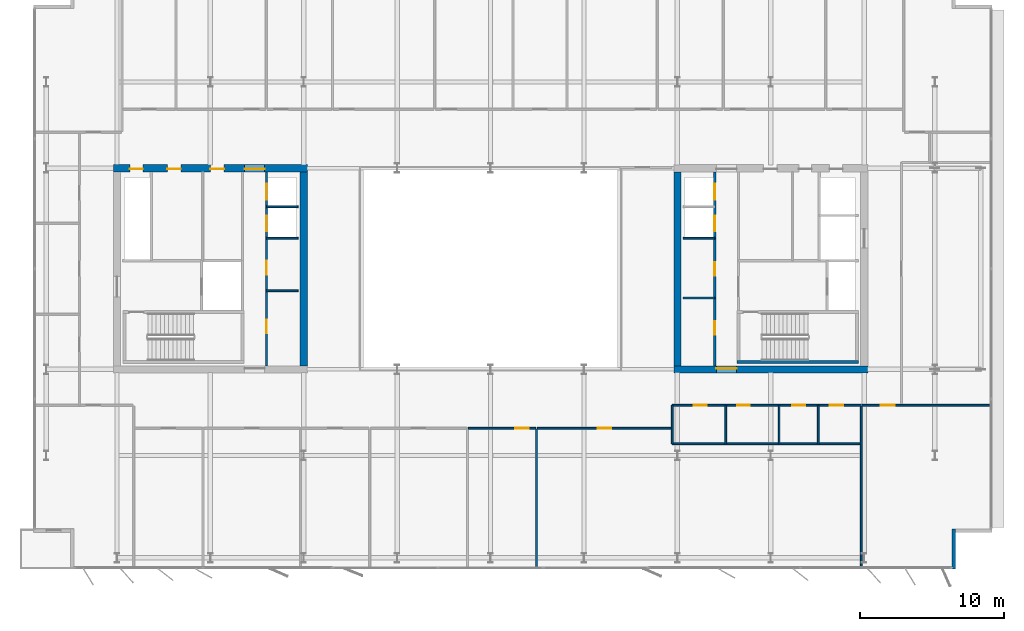
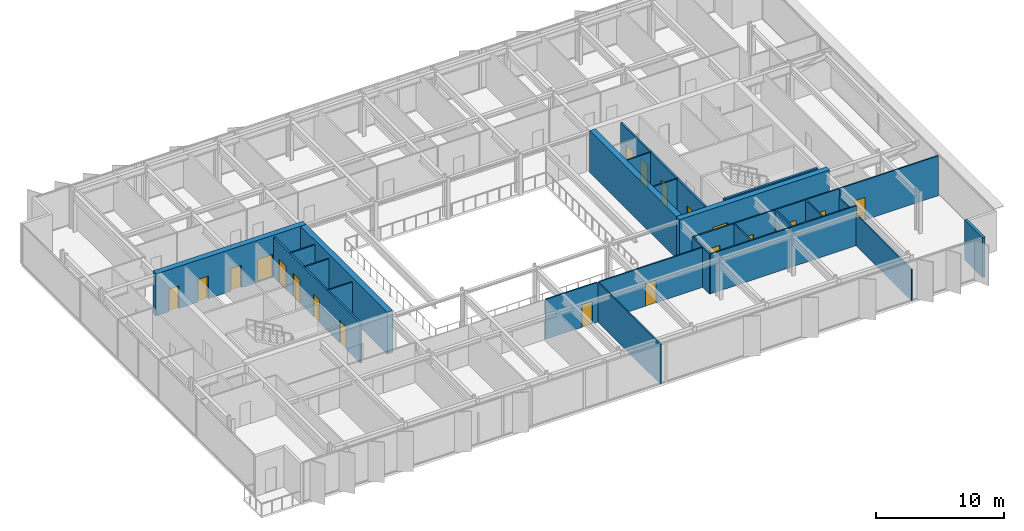
# One storey, part 14 of 20: 24 walls, 20 doors, 20 openings.
"""IFC4 building model written with IfcOpenShell, lengths in metres."""

from ifc_helpers import new_model, si_unit, direction, frame, frame_2d, origin, place, context, subcontext, project, spatial, rectangle, extrude, material, layer, layer_set, type_object, element, fill, save


model = new_model("IFC4")

# Units and contexts
model_context = context("Model", 3, precision=1e-05, world=origin(), true_north=direction((0.0, 1.0)))
body_context = subcontext(model_context, "Body", "Model", "MODEL_VIEW")
ifc_project = project(units=[si_unit("LENGTHUNIT", "METRE"), si_unit("AREAUNIT", "SQUARE_METRE"), si_unit("VOLUMEUNIT", "CUBIC_METRE"), si_unit("PLANEANGLEUNIT", "RADIAN"), si_unit("MASSUNIT", "GRAM", prefix="KILO")], contexts=[model_context])

# Site, building, storey
site_placement = place(None, origin())
site = spatial("IfcSite", under=ifc_project, at=site_placement, CompositionType="ELEMENT")
building_placement = place(site_placement, origin())
building = spatial("IfcBuilding", under=site, at=building_placement, Name="Putna Gate Headquarters", CompositionType="ELEMENT")
storey_placement = place(building_placement, frame((0.0, 0.0, 298.39990234375)))
storey = spatial("IfcBuildingStorey", under=building, at=storey_placement, Name="L75", CompositionType="ELEMENT", Elevation=298.39990234375)

# Wall, openings, doors
ifc_material_1 = material(Name="Concrete C50/60", Category="concrete")
ifc_layer_1 = layer(ifc_material_1, 0.5)
ifc_layer_set_1 = layer_set([ifc_layer_1], Name="Concrete C50/60")
wall_type_1 = type_object("IfcWallType", Name="WALL-CORE-500", PredefinedType="SHEAR", material=ifc_layer_set_1)
wall_1_placement = place(storey_placement, frame((12.75, 33.0, 0.0), z_axis=(0.0, 0.0, 1.0), x_axis=(1.0, 0.0, 0.0)))
wall_1 = element("IfcWall", 1, at=wall_1_placement, inside=storey, type_object=wall_type_1, Name="L75 WC Split Core Shear Wall N", PredefinedType="SHEAR", context=body_context, shape_type="SweptSolid", body=[
    extrude(rectangle(XDim=13.5, YDim=0.5, at=frame_2d((6.75, 0.0))), origin(), (0.0, 0.0, 1.0), 4.0),
])
opening_1_placement = place(wall_1_placement, frame((1.14990234375, 0.0, 0.0)))
opening_1 = element("IfcOpeningElement", 2, at=opening_1_placement, cuts=wall_1, Name="Opening RD-90", PredefinedType="OPENING", context=body_context, shape_type="SweptSolid", body=[
    extrude(rectangle(XDim=0.89990234375, YDim=2.14990234375, at=frame_2d((0.449951171875, 1.074951171875))), frame((0.0, 0.260009765625, 0.0), z_axis=(0.0, -1.0, 0.0), x_axis=(1.0, 0.0, 0.0)), (0.0, 0.0, 1.0), 0.52001953125),
])
opening_2_placement = place(wall_1_placement, frame((3.75, 0.0, 0.0)))
opening_2 = element("IfcOpeningElement", 3, at=opening_2_placement, cuts=wall_1, Name="Opening IDS-95", PredefinedType="OPENING", context=body_context, shape_type="SweptSolid", body=[
    extrude(rectangle(XDim=0.949951171875, YDim=2.14990234375, at=frame_2d((0.47509765625, 1.074951171875))), frame((0.0, 0.260009765625, 0.0), z_axis=(0.0, -1.0, 0.0), x_axis=(1.0, 0.0, 0.0)), (0.0, 0.0, 1.0), 0.52001953125),
])
opening_3_placement = place(wall_1_placement, frame((6.75, 0.0, 0.0)))
opening_3 = element("IfcOpeningElement", 4, at=opening_3_placement, cuts=wall_1, Name="Opening IDS-95", PredefinedType="OPENING", context=body_context, shape_type="SweptSolid", body=[
    extrude(rectangle(XDim=0.949951171875, YDim=2.14990234375, at=frame_2d((0.47509765625, 1.074951171875))), frame((0.0, 0.260009765625, 0.0), z_axis=(0.0, -1.0, 0.0), x_axis=(1.0, 0.0, 0.0)), (0.0, 0.0, 1.0), 0.52001953125),
])
opening_4_placement = place(wall_1_placement, frame((9.1298828125, 0.0, 0.0)))
opening_4 = element("IfcOpeningElement", 5, at=opening_4_placement, cuts=wall_1, Name="Opening FDD-140", PredefinedType="OPENING", context=body_context, shape_type="SweptSolid", body=[
    extrude(rectangle(XDim=1.39990234375, YDim=2.199951171875, at=frame_2d((0.699951171875, 1.10009765625))), frame((0.0, 0.260009765625, 0.0), z_axis=(0.0, -1.0, 0.0), x_axis=(1.0, 0.0, 0.0)), (0.0, 0.0, 1.0), 0.52001953125),
])
ifc_material_2 = material(Name="Double steel fire door", Category="steel")
door_type_1 = type_object("IfcDoorType", Name="DOOR-FIRE-DBL-1400", OperationType="DOUBLE_DOOR_SINGLE_SWING", PredefinedType="DOOR", material=ifc_material_2)
door_1_placement = place(opening_4_placement, origin())
door_1 = element("IfcDoor", 6, at=door_1_placement, inside=storey, type_object=door_type_1, Name="L75 West Lift Lobby North Door", OperationType="DOUBLE_DOOR_SINGLE_SWING", OverallHeight=2.199951171875, OverallWidth=1.39990234375, PredefinedType="DOOR", context=body_context, shape_type="SweptSolid", body=[
    extrude(rectangle(XDim=1.39990234375, YDim=2.199951171875, at=frame_2d((0.699951171875, 1.10009765625))), frame((0.0, -0.02490234375, 0.0), z_axis=(0.0, -1.0, 0.0), x_axis=(1.0, 0.0, 0.0)), (0.0, 0.0, 1.0), 0.050048828125),
])
fill(opening_4, door_1)
ifc_material_3 = material(Name="Fire-rated service timber door", Category="wood")
door_type_2 = type_object("IfcDoorType", Name="DOOR-INT-950", OperationType="NOTDEFINED", PredefinedType="DOOR", material=ifc_material_3)
door_2_placement = place(opening_2_placement, origin())
door_2 = element("IfcDoor", 7, at=door_2_placement, inside=storey, type_object=door_type_2, Name="L75 Cleaner Store Door", OperationType="SINGLE_SWING_LEFT", OverallHeight=2.14990234375, OverallWidth=0.949951171875, PredefinedType="DOOR", context=body_context, shape_type="SweptSolid", body=[
    extrude(rectangle(XDim=0.949951171875, YDim=2.14990234375, at=frame_2d((0.47509765625, 1.074951171875))), frame((0.0, -0.02490234375, 0.0), z_axis=(0.0, -1.0, 0.0), x_axis=(1.0, 0.0, 0.0)), (0.0, 0.0, 1.0), 0.050048828125),
])
fill(opening_2, door_2)
door_3_placement = place(opening_3_placement, origin())
door_3 = element("IfcDoor", 8, at=door_3_placement, inside=storey, type_object=door_type_2, Name="L75 Comms Plant Door", OperationType="SINGLE_SWING_RIGHT", OverallHeight=2.14990234375, OverallWidth=0.949951171875, PredefinedType="DOOR", context=body_context, shape_type="SweptSolid", body=[
    extrude(rectangle(XDim=0.949951171875, YDim=2.14990234375, at=frame_2d((0.47509765625, 1.074951171875))), frame((0.0, -0.02490234375, 0.0), z_axis=(0.0, -1.0, 0.0), x_axis=(1.0, 0.0, 0.0)), (0.0, 0.0, 1.0), 0.050048828125),
])
fill(opening_3, door_3)
ifc_material_4 = material(Name="Steel riser access fire door", Category="steel")
door_type_3 = type_object("IfcDoorType", Name="DOOR-RISER-900", OperationType="NOTDEFINED", PredefinedType="DOOR", material=ifc_material_4)
door_4_placement = place(opening_1_placement, origin())
door_4 = element("IfcDoor", 9, at=door_4_placement, inside=storey, type_object=door_type_3, Name="L75 West Riser Access Door", OperationType="SINGLE_SWING_RIGHT", OverallHeight=2.14990234375, OverallWidth=0.89990234375, PredefinedType="DOOR", context=body_context, shape_type="SweptSolid", body=[
    extrude(rectangle(XDim=0.89990234375, YDim=2.14990234375, at=frame_2d((0.449951171875, 1.074951171875))), frame((0.0, -0.02490234375, 0.0), z_axis=(0.0, -1.0, 0.0), x_axis=(1.0, 0.0, 0.0)), (0.0, 0.0, 1.0), 0.050048828125),
])
fill(opening_1, door_4)

# Wall
wall_2_placement = place(storey_placement, frame((26.0, 19.25, 0.0), z_axis=(0.0, 0.0, 1.0), x_axis=(0.0, 1.0, 0.0)))
element("IfcWall", 10, at=wall_2_placement, inside=storey, type_object=wall_type_1, Name="L75 WC Split Core Shear Wall E", PredefinedType="SHEAR", context=body_context, shape_type="SweptSolid", body=[
    extrude(rectangle(XDim=13.5, YDim=0.5, at=frame_2d((6.75, 0.0))), origin(), (0.0, 0.0, 1.0), 4.0),
])

# Wall, opening, door
wall_3_placement = place(storey_placement, frame((51.75, 19.0, 0.0), z_axis=(0.0, 0.0, 1.0), x_axis=(1.0, 0.0, 0.0)))
wall_3 = element("IfcWall", 11, at=wall_3_placement, inside=storey, type_object=wall_type_1, Name="L75 EC Split Core Shear Wall S", PredefinedType="SHEAR", context=body_context, shape_type="SweptSolid", body=[
    extrude(rectangle(XDim=13.5, YDim=0.5, at=frame_2d((6.75, 0.0))), origin(), (0.0, 0.0, 1.0), 4.0),
])
opening_5_placement = place(wall_3_placement, frame((2.969970703125, 0.0, 0.0)))
opening_5 = element("IfcOpeningElement", 12, at=opening_5_placement, cuts=wall_3, Name="Opening FDD-140", PredefinedType="OPENING", context=body_context, shape_type="SweptSolid", body=[
    extrude(rectangle(XDim=1.39990234375, YDim=2.199951171875, at=frame_2d((0.699951171875, 1.10009765625))), frame((0.0, 0.260009765625, 0.0), z_axis=(0.0, -1.0, 0.0), x_axis=(1.0, 0.0, 0.0)), (0.0, 0.0, 1.0), 0.52001953125),
])
door_5_placement = place(opening_5_placement, origin())
door_5 = element("IfcDoor", 13, at=door_5_placement, inside=storey, type_object=door_type_1, Name="L75 East Lift Lobby South Door", OperationType="DOUBLE_DOOR_SINGLE_SWING", OverallHeight=2.199951171875, OverallWidth=1.39990234375, PredefinedType="DOOR", context=body_context, shape_type="SweptSolid", body=[
    extrude(rectangle(XDim=1.39990234375, YDim=2.199951171875, at=frame_2d((0.699951171875, 1.10009765625))), frame((0.0, 0.0751953125, 0.0), z_axis=(0.0, -1.0, 0.0), x_axis=(1.0, 0.0, 0.0)), (0.0, 0.0, 1.0), 0.050048828125),
])
fill(opening_5, door_5)

# Walls
wall_4_placement = place(storey_placement, frame((52.0, 19.25, 0.0), z_axis=(0.0, 0.0, 1.0), x_axis=(0.0, 1.0, 0.0)))
element("IfcWall", 14, at=wall_4_placement, inside=storey, type_object=wall_type_1, Name="L75 EC Split Core Shear Wall W", PredefinedType="SHEAR", context=body_context, shape_type="SweptSolid", body=[
    extrude(rectangle(XDim=13.5, YDim=0.5, at=frame_2d((6.75, 0.0))), origin(), (0.0, 0.0, 1.0), 4.0),
])
ifc_material_5 = material(Name="Precast concrete C40/50", Category="concrete")
ifc_layer_2 = layer(ifc_material_5, 0.239990234375)
ifc_layer_set_2 = layer_set([ifc_layer_2], Name="Precast concrete C40/50")
wall_type_2 = type_object("IfcWallType", Name="WALL-EXT-TERR-240", PredefinedType="STANDARD", material=ifc_layer_set_2)
wall_5_placement = place(storey_placement, frame((71.23095703125, 7.89990234375, 0.0), z_axis=(0.0, 0.0, 1.0), x_axis=(0.0, -1.0, 0.0)))
element("IfcWall", 15, at=wall_5_placement, inside=storey, type_object=wall_type_2, Name="L75 Corner Notch Return Wall SE-V", PredefinedType="STANDARD", context=body_context, shape_type="SweptSolid", body=[
    extrude(rectangle(XDim=2.7998046875, YDim=0.239990234375, at=frame_2d((1.39990234375, 0.0))), origin(), (0.0, 0.0, 1.0), 3.7880859375),
])
ifc_material_6 = material(Name="Acoustic gypsum board on metal stud")
ifc_layer_3 = layer(ifc_material_6, 0.1201171875)
ifc_layer_set_3 = layer_set([ifc_layer_3], Name="Acoustic gypsum board on metal stud")
wall_type_3 = type_object("IfcWallType", Name="WALL-PART-120", PredefinedType="PARTITIONING", material=ifc_layer_set_3)
wall_6_placement = place(storey_placement, frame((42.199951171875, 5.1201171875, 0.0), z_axis=(0.0, 0.0, 1.0), x_axis=(0.0, 1.0, 0.0)))
element("IfcWall", 16, at=wall_6_placement, inside=storey, type_object=wall_type_3, Name="L75 Interior Wall PART-L75-SB-DIV-06", PredefinedType="PARTITIONING", context=body_context, shape_type="SweptSolid", body=[
    extrude(rectangle(XDim=9.719970703125, YDim=0.1201171875, at=frame_2d((4.85986328125, 0.0))), origin(), (0.0, 0.0, 1.0), 3.7880859375),
])
wall_7_placement = place(storey_placement, frame((64.800048828125, 5.1201171875, 0.0), z_axis=(0.0, 0.0, 1.0), x_axis=(0.0, 1.0, 0.0)))
element("IfcWall", 17, at=wall_7_placement, inside=storey, type_object=wall_type_3, Name="L75 Interior Wall PART-L75-SB-DIV-07", PredefinedType="PARTITIONING", context=body_context, shape_type="SweptSolid", body=[
    extrude(rectangle(XDim=11.31982421875, YDim=0.1201171875, at=frame_2d((5.659912109375, 0.0))), origin(), (0.0, 0.0, 1.0), 2.988037109375),
])
ifc_material_7 = material(Name="Fire-rated shaftwall gypsum board on metal stud")
ifc_layer_4 = layer(ifc_material_7, 0.1201171875)
ifc_layer_set_4 = layer_set([ifc_layer_4], Name="Fire-rated shaftwall gypsum board on metal stud")
wall_type_4 = type_object("IfcWallType", Name="WALL-PART-120-EI120", PredefinedType="PARTITIONING", material=ifc_layer_set_4)
wall_8_placement = place(storey_placement, frame((23.39990234375, 30.31005859375, 0.0), z_axis=(0.0, 0.0, 1.0), x_axis=(1.0, 0.0, 0.0)))
element("IfcWall", 18, at=wall_8_placement, inside=storey, type_object=wall_type_4, Name="L75 Interior Wall CWINT-L75-WC-LF09-DIV", PredefinedType="PARTITIONING", context=body_context, shape_type="SweptSolid", body=[
    extrude(rectangle(XDim=2.2001953125, YDim=0.1201171875, at=frame_2d((1.10009765625, 0.0))), origin(), (0.0, 0.0, 1.0), 3.7880859375),
])
ifc_material_8 = material(Name="Fire-rated gypsum board on metal stud")
ifc_layer_5 = layer(ifc_material_8, 0.1201171875)
ifc_layer_set_5 = layer_set([ifc_layer_5], Name="Fire-rated gypsum board on metal stud")
wall_type_5 = type_object("IfcWallType", Name="WALL-PART-120-RATED", PredefinedType="PARTITIONING", material=ifc_layer_set_5)
for number, where, z_axis, x_axis, name in (
    (19, (23.39990234375, 24.469970703125, 0.0), (0.0, 0.0, 1.0), (1.0, 0.0, 0.0), "L75 Interior Wall CWINT-L75-WC-REUSE-DIV"),
    (20, (23.39990234375, 28.1201171875, 0.0), (0.0, 0.0, 1.0), (1.0, 0.0, 0.0), "L75 Interior Wall CWINT-L75-WC-LF06-DIV"),
    (21, (52.39990234375, 23.969970703125, 0.0), (0.0, 0.0, 1.0), (1.0, 0.0, 0.0), "L75 Interior Wall CWINT-L75-EC-REUSE-DIV"),
    (22, (52.39990234375, 28.1201171875, 0.0), (0.0, 0.0, 1.0), (1.0, 0.0, 0.0), "L75 Interior Wall CWINT-L75-EC-LF08-DIV"),
):
    element("IfcWall", number, at=place(storey_placement, frame(where, z_axis=z_axis, x_axis=x_axis)), inside=storey, type_object=wall_type_5, Name=name, PredefinedType="PARTITIONING", context=body_context, shape_type="SweptSolid", body=[
        extrude(rectangle(XDim=2.2001953125, YDim=0.1201171875, at=frame_2d((1.10009765625, 0.0))), origin(), (0.0, 0.0, 1.0), 3.7880859375),
    ])

# Wall, openings, doors
wall_9_placement = place(storey_placement, frame((51.639892578125, 16.5, 0.0), z_axis=(0.0, 0.0, 1.0), x_axis=(1.0, 0.0, 0.0)))
wall_9 = element("IfcWall", 23, at=wall_9_placement, inside=storey, type_object=wall_type_5, Name="L75 Interior Wall PART-L75-SAN-CW", PredefinedType="PARTITIONING", context=body_context, shape_type="SweptSolid", body=[
    extrude(rectangle(XDim=13.16015625, YDim=0.1201171875, at=frame_2d((6.580078125, 0.0))), origin(), (0.0, 0.0, 1.0), 3.7880859375),
])
opening_6_placement = place(wall_9_placement, frame((1.510009765625, 0.0, 0.0)))
opening_6 = element("IfcOpeningElement", 24, at=opening_6_placement, cuts=wall_9, Name="Opening FD-90", PredefinedType="OPENING", context=body_context, shape_type="SweptSolid", body=[
    extrude(rectangle(XDim=0.89990234375, YDim=2.14990234375, at=frame_2d((0.449951171875, 1.074951171875))), frame((0.0, 0.070068359375, 0.0), z_axis=(0.0, -1.0, 0.0), x_axis=(1.0, 0.0, 0.0)), (0.0, 0.0, 1.0), 0.14013671875),
])
opening_7_placement = place(wall_9_placement, frame((4.510009765625, 0.0, 0.0)))
opening_7 = element("IfcOpeningElement", 25, at=opening_7_placement, cuts=wall_9, Name="Opening FD-90", PredefinedType="OPENING", context=body_context, shape_type="SweptSolid", body=[
    extrude(rectangle(XDim=0.89990234375, YDim=2.14990234375, at=frame_2d((0.449951171875, 1.074951171875))), frame((0.0, 0.070068359375, 0.0), z_axis=(0.0, -1.0, 0.0), x_axis=(1.0, 0.0, 0.0)), (0.0, 0.0, 1.0), 0.14013671875),
])
opening_8_placement = place(wall_9_placement, frame((8.360107421875, 0.0, 0.0)))
opening_8 = element("IfcOpeningElement", 26, at=opening_8_placement, cuts=wall_9, Name="Opening FD-90", PredefinedType="OPENING", context=body_context, shape_type="SweptSolid", body=[
    extrude(rectangle(XDim=0.89990234375, YDim=2.14990234375, at=frame_2d((0.449951171875, 1.074951171875))), frame((0.0, 0.070068359375, 0.0), z_axis=(0.0, -1.0, 0.0), x_axis=(1.0, 0.0, 0.0)), (0.0, 0.0, 1.0), 0.14013671875),
])
opening_9_placement = place(wall_9_placement, frame((10.9599609375, 0.0, 0.0)))
opening_9 = element("IfcOpeningElement", 27, at=opening_9_placement, cuts=wall_9, Name="Opening FD-95", PredefinedType="OPENING", context=body_context, shape_type="SweptSolid", body=[
    extrude(rectangle(XDim=0.949951171875, YDim=2.14990234375, at=frame_2d((0.47509765625, 1.074951171875))), frame((0.0, 0.070068359375, 0.0), z_axis=(0.0, -1.0, 0.0), x_axis=(1.0, 0.0, 0.0)), (0.0, 0.0, 1.0), 0.14013671875),
])
ifc_material_9 = material(Name="Acoustic washroom fire door")
door_type_4 = type_object("IfcDoorType", Name="DOOR-FIRE-900", OperationType="NOTDEFINED", PredefinedType="DOOR", material=ifc_material_9)
door_6_placement = place(opening_6_placement, origin())
door_6 = element("IfcDoor", 28, at=door_6_placement, inside=storey, type_object=door_type_4, Name="L75 Washroom Male Door", OperationType="SINGLE_SWING_RIGHT", OverallHeight=2.14990234375, OverallWidth=0.89990234375, PredefinedType="DOOR", context=body_context, shape_type="SweptSolid", body=[
    extrude(rectangle(XDim=0.89990234375, YDim=2.14990234375, at=frame_2d((0.449951171875, 1.074951171875))), frame((0.0, 0.02490234375, 0.0), z_axis=(0.0, -1.0, 0.0), x_axis=(1.0, 0.0, 0.0)), (0.0, 0.0, 1.0), 0.050048828125),
])
fill(opening_6, door_6)
door_7_placement = place(opening_7_placement, origin())
door_7 = element("IfcDoor", 29, at=door_7_placement, inside=storey, type_object=door_type_4, Name="L75 Washroom Female Door", OperationType="SINGLE_SWING_LEFT", OverallHeight=2.14990234375, OverallWidth=0.89990234375, PredefinedType="DOOR", context=body_context, shape_type="SweptSolid", body=[
    extrude(rectangle(XDim=0.89990234375, YDim=2.14990234375, at=frame_2d((0.449951171875, 1.074951171875))), frame((0.0, 0.02490234375, 0.0), z_axis=(0.0, -1.0, 0.0), x_axis=(1.0, 0.0, 0.0)), (0.0, 0.0, 1.0), 0.050048828125),
])
fill(opening_7, door_7)
door_8_placement = place(opening_8_placement, origin())
door_8 = element("IfcDoor", 30, at=door_8_placement, inside=storey, type_object=door_type_4, Name="L75 Accessible WC Door", OperationType="SINGLE_SWING_RIGHT", OverallHeight=2.14990234375, OverallWidth=0.89990234375, PredefinedType="DOOR", context=body_context, shape_type="SweptSolid", body=[
    extrude(rectangle(XDim=0.89990234375, YDim=2.14990234375, at=frame_2d((0.449951171875, 1.074951171875))), frame((0.0, 0.02490234375, 0.0), z_axis=(0.0, -1.0, 0.0), x_axis=(1.0, 0.0, 0.0)), (0.0, 0.0, 1.0), 0.050048828125),
])
fill(opening_8, door_8)
ifc_material_10 = material(Name="Acoustic timber fire door", Category="wood")
door_type_5 = type_object("IfcDoorType", Name="DOOR-FIRE-950", OperationType="NOTDEFINED", PredefinedType="DOOR", material=ifc_material_10)
door_9_placement = place(opening_9_placement, origin())
door_9 = element("IfcDoor", 31, at=door_9_placement, inside=storey, type_object=door_type_5, Name="L75 Staff Pantry and Tea Point Door", OperationType="SINGLE_SWING_LEFT", OverallHeight=2.14990234375, OverallWidth=0.949951171875, PredefinedType="DOOR", context=body_context, shape_type="SweptSolid", body=[
    extrude(rectangle(XDim=0.949951171875, YDim=2.14990234375, at=frame_2d((0.47509765625, 1.074951171875))), frame((0.0, 0.02490234375, 0.0), z_axis=(0.0, -1.0, 0.0), x_axis=(1.0, 0.0, 0.0)), (0.0, 0.0, 1.0), 0.050048828125),
])
fill(opening_9, door_9)

# Walls
wall_10_placement = place(storey_placement, frame((51.639892578125, 13.820068359375, 0.0), z_axis=(0.0, 0.0, 1.0), x_axis=(1.0, 0.0, 0.0)))
element("IfcWall", 32, at=wall_10_placement, inside=storey, type_object=wall_type_5, Name="L75 Interior Wall PART-L75-SAN-BACK", PredefinedType="PARTITIONING", context=body_context, shape_type="SweptSolid", body=[
    extrude(rectangle(XDim=13.16015625, YDim=0.1201171875, at=frame_2d((6.580078125, 0.0))), origin(), (0.0, 0.0, 1.0), 3.7880859375),
])
for number, where, z_axis, x_axis, name in (
    (33, (51.639892578125, 13.820068359375, 0.0), (0.0, 0.0, 1.0), (0.0, 1.0, 0.0), "L75 Interior Wall PART-L75-SAN-DIV-1"),
    (34, (55.360107421875, 13.820068359375, 0.0), (0.0, 0.0, 1.0), (0.0, 1.0, 0.0), "L75 Interior Wall PART-L75-SAN-DIV-2"),
    (35, (59.080078125, 13.820068359375, 0.0), (0.0, 0.0, 1.0), (0.0, 1.0, 0.0), "L75 Interior Wall PART-L75-SAN-DIV-3"),
    (36, (61.800048828125, 13.820068359375, 0.0), (0.0, 0.0, 1.0), (0.0, 1.0, 0.0), "L75 Interior Wall PART-L75-SAN-DIV-4"),
):
    element("IfcWall", number, at=place(storey_placement, frame(where, z_axis=z_axis, x_axis=x_axis)), inside=storey, type_object=wall_type_5, Name=name, PredefinedType="PARTITIONING", context=body_context, shape_type="SweptSolid", body=[
        extrude(rectangle(XDim=2.679931640625, YDim=0.1201171875, at=frame_2d((1.33984375, 0.0))), origin(), (0.0, 0.0, 1.0), 3.7880859375),
    ])

# Wall, opening, door
wall_11_placement = place(storey_placement, frame((37.447509765625, 14.89990234375, 0.0), z_axis=(0.0, 0.0, 1.0), x_axis=(1.0, 0.0, 0.0)))
wall_11 = element("IfcWall", 37, at=wall_11_placement, inside=storey, type_object=wall_type_5, Name="L75 Interior Wall PART-L75-SB-CW-06", PredefinedType="PARTITIONING", context=body_context, shape_type="SweptSolid", body=[
    extrude(rectangle(XDim=4.6923828125, YDim=0.1201171875, at=frame_2d((2.34619140625, 0.0))), origin(), (0.0, 0.0, 1.0), 3.7880859375),
])
opening_10_placement = place(wall_11_placement, frame((3.262451171875, 0.0, 0.0)))
opening_10 = element("IfcOpeningElement", 38, at=opening_10_placement, cuts=wall_11, Name="Opening FD-95", PredefinedType="OPENING", context=body_context, shape_type="SweptSolid", body=[
    extrude(rectangle(XDim=0.949951171875, YDim=2.14990234375, at=frame_2d((0.47509765625, 1.074951171875))), frame((0.0, 0.070068359375, 0.0), z_axis=(0.0, -1.0, 0.0), x_axis=(1.0, 0.0, 0.0)), (0.0, 0.0, 1.0), 0.14013671875),
])
door_10_placement = place(opening_10_placement, origin())
door_10 = element("IfcDoor", 39, at=door_10_placement, inside=storey, type_object=door_type_5, Name="L75 Conference Meeting Room 5 Door", OperationType="SINGLE_SWING_LEFT", OverallHeight=2.14990234375, OverallWidth=0.949951171875, PredefinedType="DOOR", context=body_context, shape_type="SweptSolid", body=[
    extrude(rectangle(XDim=0.949951171875, YDim=2.14990234375, at=frame_2d((0.47509765625, 1.074951171875))), frame((0.0, 0.02490234375, 0.0), z_axis=(0.0, -1.0, 0.0), x_axis=(1.0, 0.0, 0.0)), (0.0, 0.0, 1.0), 0.050048828125),
])
fill(opening_10, door_10)

wall_12_placement = place(storey_placement, frame((42.260009765625, 14.89990234375, 0.0), z_axis=(0.0, 0.0, 1.0), x_axis=(1.0, 0.0, 0.0)))
wall_12 = element("IfcWall", 40, at=wall_12_placement, inside=storey, type_object=wall_type_5, Name="L75 Interior Wall PART-L75-SB-CW-07", PredefinedType="PARTITIONING", context=body_context, shape_type="SweptSolid", body=[
    extrude(rectangle(XDim=9.320068359375, YDim=0.1201171875, at=frame_2d((4.66015625, 0.0))), origin(), (0.0, 0.0, 1.0), 3.7880859375),
])
opening_11_placement = place(wall_12_placement, frame((4.18505859375, 0.0, 0.0)))
opening_11 = element("IfcOpeningElement", 41, at=opening_11_placement, cuts=wall_12, Name="Opening FD-95", PredefinedType="OPENING", context=body_context, shape_type="SweptSolid", body=[
    extrude(rectangle(XDim=0.949951171875, YDim=2.14990234375, at=frame_2d((0.47509765625, 1.074951171875))), frame((0.0, 0.070068359375, 0.0), z_axis=(0.0, -1.0, 0.0), x_axis=(1.0, 0.0, 0.0)), (0.0, 0.0, 1.0), 0.14013671875),
])
door_11_placement = place(opening_11_placement, origin())
door_11 = element("IfcDoor", 42, at=door_11_placement, inside=storey, type_object=door_type_5, Name="L75 Primary Open Office Workplace Door", OperationType="SINGLE_SWING_RIGHT", OverallHeight=2.14990234375, OverallWidth=0.949951171875, PredefinedType="DOOR", context=body_context, shape_type="SweptSolid", body=[
    extrude(rectangle(XDim=0.949951171875, YDim=2.14990234375, at=frame_2d((0.47509765625, 1.074951171875))), frame((0.0, 0.02490234375, 0.0), z_axis=(0.0, -1.0, 0.0), x_axis=(1.0, 0.0, 0.0)), (0.0, 0.0, 1.0), 0.050048828125),
])
fill(opening_11, door_11)

wall_13_placement = place(storey_placement, frame((64.860107421875, 16.5, 0.0), z_axis=(0.0, 0.0, 1.0), x_axis=(1.0, 0.0, 0.0)))
wall_13 = element("IfcWall", 43, at=wall_13_placement, inside=storey, type_object=wall_type_5, Name="L75 Interior Wall PART-L75-SB-CW-08", PredefinedType="PARTITIONING", context=body_context, shape_type="SweptSolid", body=[
    extrude(rectangle(XDim=8.870849609375, YDim=0.1201171875, at=frame_2d((4.435546875, 0.0))), origin(), (0.0, 0.0, 1.0), 3.7880859375),
])
opening_12_placement = place(wall_13_placement, frame((1.31005859375, 0.0, 0.0)))
opening_12 = element("IfcOpeningElement", 44, at=opening_12_placement, cuts=wall_13, Name="Opening FD-95", PredefinedType="OPENING", context=body_context, shape_type="SweptSolid", body=[
    extrude(rectangle(XDim=0.949951171875, YDim=2.14990234375, at=frame_2d((0.47509765625, 1.074951171875))), frame((0.0, 0.070068359375, 0.0), z_axis=(0.0, -1.0, 0.0), x_axis=(1.0, 0.0, 0.0)), (0.0, 0.0, 1.0), 0.14013671875),
])
door_12_placement = place(opening_12_placement, origin())
door_12 = element("IfcDoor", 45, at=door_12_placement, inside=storey, type_object=door_type_5, Name="L75 Collaborative Breakout Lounge 2 Door", OperationType="SINGLE_SWING_LEFT", OverallHeight=2.14990234375, OverallWidth=0.949951171875, PredefinedType="DOOR", context=body_context, shape_type="SweptSolid", body=[
    extrude(rectangle(XDim=0.949951171875, YDim=2.14990234375, at=frame_2d((0.47509765625, 1.074951171875))), frame((0.0, 0.02490234375, 0.0), z_axis=(0.0, -1.0, 0.0), x_axis=(1.0, 0.0, 0.0)), (0.0, 0.0, 1.0), 0.050048828125),
])
fill(opening_12, door_12)

# Wall, openings, doors
ifc_material_11 = material(Name="Concrete C40/50", Category="concrete")
ifc_layer_6 = layer(ifc_material_11, 0.159912109375)
ifc_layer_set_6 = layer_set([ifc_layer_6], Name="Concrete C40/50")
wall_type_6 = type_object("IfcWallType", Name="WALL-SHAFT-160", PredefinedType="STANDARD", material=ifc_layer_set_6)
wall_14_placement = place(storey_placement, frame((23.39990234375, 19.25, 0.0), z_axis=(0.0, 0.0, 1.0), x_axis=(0.0, 1.0, 0.0)))
wall_14 = element("IfcWall", 46, at=wall_14_placement, inside=storey, type_object=wall_type_6, Name="L75 Interior Wall CWINT-L75-WC-PL-WALL", PredefinedType="STANDARD", context=body_context, shape_type="SweptSolid", body=[
    extrude(rectangle(XDim=13.5, YDim=0.159912109375, at=frame_2d((6.75, 0.0))), origin(), (0.0, 0.0, 1.0), 3.7880859375),
])
opening_13_placement = place(wall_14_placement, frame((2.25, 0.0, 0.0)))
opening_13 = element("IfcOpeningElement", 47, at=opening_13_placement, cuts=wall_14, Name="Opening IDS-95", PredefinedType="OPENING", context=body_context, shape_type="SweptSolid", body=[
    extrude(rectangle(XDim=0.949951171875, YDim=2.14990234375, at=frame_2d((0.47509765625, 1.074951171875))), frame((0.0, 0.08984375, 0.0), z_axis=(0.0, -1.0, 0.0), x_axis=(1.0, 0.0, 0.0)), (0.0, 0.0, 1.0), 0.179931640625),
])
opening_14_placement = place(wall_14_placement, frame((6.35009765625, 0.0, 0.0)))
opening_14 = element("IfcOpeningElement", 48, at=opening_14_placement, cuts=wall_14, Name="Opening IDS-95", PredefinedType="OPENING", context=body_context, shape_type="SweptSolid", body=[
    extrude(rectangle(XDim=0.949951171875, YDim=2.14990234375, at=frame_2d((0.47509765625, 1.074951171875))), frame((0.0, 0.08984375, 0.0), z_axis=(0.0, -1.0, 0.0), x_axis=(1.0, 0.0, 0.0)), (0.0, 0.0, 1.0), 0.179931640625),
])
opening_15_placement = place(wall_14_placement, frame((9.35009765625, 0.0, 0.0)))
opening_15 = element("IfcOpeningElement", 49, at=opening_15_placement, cuts=wall_14, Name="Opening LD-1", PredefinedType="OPENING", context=body_context, shape_type="SweptSolid", body=[
    extrude(rectangle(XDim=1.10009765625, YDim=2.199951171875, at=frame_2d((0.550048828125, 1.10009765625))), frame((0.0, 0.08984375, 0.0), z_axis=(0.0, -1.0, 0.0), x_axis=(1.0, 0.0, 0.0)), (0.0, 0.0, 1.0), 0.179931640625),
])
opening_16_placement = place(wall_14_placement, frame((11.550048828125, 0.0, 0.0)))
opening_16 = element("IfcOpeningElement", 50, at=opening_16_placement, cuts=wall_14, Name="Opening LD-1", PredefinedType="OPENING", context=body_context, shape_type="SweptSolid", body=[
    extrude(rectangle(XDim=1.10009765625, YDim=2.199951171875, at=frame_2d((0.550048828125, 1.10009765625))), frame((0.0, 0.08984375, 0.0), z_axis=(0.0, -1.0, 0.0), x_axis=(1.0, 0.0, 0.0)), (0.0, 0.0, 1.0), 0.179931640625),
])
door_13_placement = place(opening_13_placement, origin())
door_13 = element("IfcDoor", 51, at=door_13_placement, inside=storey, type_object=door_type_2, Name="L75 Tenant IT Hub Door", OperationType="SINGLE_SWING_LEFT", OverallHeight=2.14990234375, OverallWidth=0.949951171875, PredefinedType="DOOR", context=body_context, shape_type="SweptSolid", body=[
    extrude(rectangle(XDim=0.949951171875, YDim=2.14990234375, at=frame_2d((0.47509765625, 1.074951171875))), frame((0.0, 0.02490234375, 0.0), z_axis=(0.0, -1.0, 0.0), x_axis=(1.0, 0.0, 0.0)), (0.0, 0.0, 1.0), 0.050048828125),
])
fill(opening_13, door_13)
door_14_placement = place(opening_14_placement, origin())
door_14 = element("IfcDoor", 52, at=door_14_placement, inside=storey, type_object=door_type_2, Name="L75 Records Vault Door", OperationType="SINGLE_SWING_RIGHT", OverallHeight=2.14990234375, OverallWidth=0.949951171875, PredefinedType="DOOR", context=body_context, shape_type="SweptSolid", body=[
    extrude(rectangle(XDim=0.949951171875, YDim=2.14990234375, at=frame_2d((0.47509765625, 1.074951171875))), frame((0.0, 0.02490234375, 0.0), z_axis=(0.0, -1.0, 0.0), x_axis=(1.0, 0.0, 0.0)), (0.0, 0.0, 1.0), 0.050048828125),
])
fill(opening_14, door_14)
ifc_material_12 = material(Name="Brushed bronze stainless lift landing door")
door_type_6 = type_object("IfcDoorType", Name="DOOR-LIFT-1100", OperationType="DOUBLE_DOOR_SLIDING", PredefinedType="DOOR", material=ifc_material_12)
door_15_placement = place(opening_15_placement, origin())
door_15 = element("IfcDoor", 53, at=door_15_placement, inside=storey, type_object=door_type_6, Name="L75 Lift Landing Door LD-09", OperationType="DOUBLE_DOOR_SLIDING", OverallHeight=2.199951171875, OverallWidth=1.10009765625, PredefinedType="DOOR", context=body_context, shape_type="SweptSolid", body=[
    extrude(rectangle(XDim=1.10009765625, YDim=2.199951171875, at=frame_2d((0.550048828125, 1.10009765625))), frame((0.0, 0.02490234375, 0.0), z_axis=(0.0, -1.0, 0.0), x_axis=(1.0, 0.0, 0.0)), (0.0, 0.0, 1.0), 0.050048828125),
])
fill(opening_15, door_15)
door_16_placement = place(opening_16_placement, origin())
door_16 = element("IfcDoor", 54, at=door_16_placement, inside=storey, type_object=door_type_6, Name="L75 Lift Landing Door LD-10", OperationType="DOUBLE_DOOR_SLIDING", OverallHeight=2.199951171875, OverallWidth=1.10009765625, PredefinedType="DOOR", context=body_context, shape_type="SweptSolid", body=[
    extrude(rectangle(XDim=1.10009765625, YDim=2.199951171875, at=frame_2d((0.550048828125, 1.10009765625))), frame((0.0, 0.02490234375, 0.0), z_axis=(0.0, -1.0, 0.0), x_axis=(1.0, 0.0, 0.0)), (0.0, 0.0, 1.0), 0.050048828125),
])
fill(opening_16, door_16)

wall_15_placement = place(storey_placement, frame((54.60009765625, 19.25, 0.0), z_axis=(0.0, 0.0, 1.0), x_axis=(0.0, 1.0, 0.0)))
wall_15 = element("IfcWall", 55, at=wall_15_placement, inside=storey, type_object=wall_type_6, Name="L75 Interior Wall CWINT-L75-EC-PL-WALL", PredefinedType="STANDARD", context=body_context, shape_type="SweptSolid", body=[
    extrude(rectangle(XDim=13.5, YDim=0.159912109375, at=frame_2d((6.75, 0.0))), origin(), (0.0, 0.0, 1.0), 3.7880859375),
])
opening_17_placement = place(wall_15_placement, frame((2.14990234375, 0.0, 0.0)))
opening_17 = element("IfcOpeningElement", 56, at=opening_17_placement, cuts=wall_15, Name="Opening IDS-95", PredefinedType="OPENING", context=body_context, shape_type="SweptSolid", body=[
    extrude(rectangle(XDim=0.949951171875, YDim=2.14990234375, at=frame_2d((0.47509765625, 1.074951171875))), frame((0.0, 0.08984375, 0.0), z_axis=(0.0, -1.0, 0.0), x_axis=(1.0, 0.0, 0.0)), (0.0, 0.0, 1.0), 0.179931640625),
])
opening_18_placement = place(wall_15_placement, frame((6.25, 0.0, 0.0)))
opening_18 = element("IfcOpeningElement", 57, at=opening_18_placement, cuts=wall_15, Name="Opening IDS-95", PredefinedType="OPENING", context=body_context, shape_type="SweptSolid", body=[
    extrude(rectangle(XDim=0.949951171875, YDim=2.14990234375, at=frame_2d((0.47509765625, 1.074951171875))), frame((0.0, 0.08984375, 0.0), z_axis=(0.0, -1.0, 0.0), x_axis=(1.0, 0.0, 0.0)), (0.0, 0.0, 1.0), 0.179931640625),
])
opening_19_placement = place(wall_15_placement, frame((9.35009765625, 0.0, 0.0)))
opening_19 = element("IfcOpeningElement", 58, at=opening_19_placement, cuts=wall_15, Name="Opening LD-1", PredefinedType="OPENING", context=body_context, shape_type="SweptSolid", body=[
    extrude(rectangle(XDim=1.10009765625, YDim=2.199951171875, at=frame_2d((0.550048828125, 1.10009765625))), frame((0.0, 0.08984375, 0.0), z_axis=(0.0, -1.0, 0.0), x_axis=(1.0, 0.0, 0.0)), (0.0, 0.0, 1.0), 0.179931640625),
])
opening_20_placement = place(wall_15_placement, frame((11.550048828125, 0.0, 0.0)))
opening_20 = element("IfcOpeningElement", 59, at=opening_20_placement, cuts=wall_15, Name="Opening LD-1", PredefinedType="OPENING", context=body_context, shape_type="SweptSolid", body=[
    extrude(rectangle(XDim=1.10009765625, YDim=2.199951171875, at=frame_2d((0.550048828125, 1.10009765625))), frame((0.0, 0.08984375, 0.0), z_axis=(0.0, -1.0, 0.0), x_axis=(1.0, 0.0, 0.0)), (0.0, 0.0, 1.0), 0.179931640625),
])
door_17_placement = place(opening_17_placement, origin())
door_17 = element("IfcDoor", 60, at=door_17_placement, inside=storey, type_object=door_type_2, Name="L75 Executive Archive Door", OperationType="SINGLE_SWING_RIGHT", OverallHeight=2.14990234375, OverallWidth=0.949951171875, PredefinedType="DOOR", context=body_context, shape_type="SweptSolid", body=[
    extrude(rectangle(XDim=0.949951171875, YDim=2.14990234375, at=frame_2d((0.47509765625, 1.074951171875))), frame((0.0, 0.02490234375, 0.0), z_axis=(0.0, -1.0, 0.0), x_axis=(1.0, 0.0, 0.0)), (0.0, 0.0, 1.0), 0.050048828125),
])
fill(opening_17, door_17)
door_18_placement = place(opening_18_placement, origin())
door_18 = element("IfcDoor", 61, at=door_18_placement, inside=storey, type_object=door_type_2, Name="L75 Comms Distribution Door", OperationType="SINGLE_SWING_LEFT", OverallHeight=2.14990234375, OverallWidth=0.949951171875, PredefinedType="DOOR", context=body_context, shape_type="SweptSolid", body=[
    extrude(rectangle(XDim=0.949951171875, YDim=2.14990234375, at=frame_2d((0.47509765625, 1.074951171875))), frame((0.0, 0.02490234375, 0.0), z_axis=(0.0, -1.0, 0.0), x_axis=(1.0, 0.0, 0.0)), (0.0, 0.0, 1.0), 0.050048828125),
])
fill(opening_18, door_18)
door_19_placement = place(opening_19_placement, origin())
door_19 = element("IfcDoor", 62, at=door_19_placement, inside=storey, type_object=door_type_6, Name="L75 Lift Landing Door LD-11", OperationType="DOUBLE_DOOR_SLIDING", OverallHeight=2.199951171875, OverallWidth=1.10009765625, PredefinedType="DOOR", context=body_context, shape_type="SweptSolid", body=[
    extrude(rectangle(XDim=1.10009765625, YDim=2.199951171875, at=frame_2d((0.550048828125, 1.10009765625))), frame((0.0, 0.02490234375, 0.0), z_axis=(0.0, -1.0, 0.0), x_axis=(1.0, 0.0, 0.0)), (0.0, 0.0, 1.0), 0.050048828125),
])
fill(opening_19, door_19)
door_20_placement = place(opening_20_placement, origin())
door_20 = element("IfcDoor", 63, at=door_20_placement, inside=storey, type_object=door_type_6, Name="L75 Lift Landing Door LD-12", OperationType="DOUBLE_DOOR_SLIDING", OverallHeight=2.199951171875, OverallWidth=1.10009765625, PredefinedType="DOOR", context=body_context, shape_type="SweptSolid", body=[
    extrude(rectangle(XDim=1.10009765625, YDim=2.199951171875, at=frame_2d((0.550048828125, 1.10009765625))), frame((0.0, 0.02490234375, 0.0), z_axis=(0.0, -1.0, 0.0), x_axis=(1.0, 0.0, 0.0)), (0.0, 0.0, 1.0), 0.050048828125),
])
fill(opening_20, door_20)

# Wall
ifc_layer_7 = layer(ifc_material_11, 0.199951171875)
ifc_layer_set_7 = layer_set([ifc_layer_7], Name="Concrete C40/50")
wall_type_7 = type_object("IfcWallType", Name="WALL-SHAFT-RC200", PredefinedType="SHEAR", material=ifc_layer_set_7)
wall_16_placement = place(storey_placement, frame((56.159912109375, 19.510009765625, 0.0), z_axis=(0.0, 0.0, 1.0), x_axis=(1.0, 0.0, 0.0)))
element("IfcWall", 64, at=wall_16_placement, inside=storey, type_object=wall_type_7, Name="L75 Stair ST2 Structural Shaft Wall S", PredefinedType="SHEAR", context=body_context, shape_type="SweptSolid", body=[
    extrude(rectangle(XDim=8.43017578125, YDim=0.199951171875, at=frame_2d((4.215087890625, 0.0))), origin(), (0.0, 0.0, 1.0), 4.0),
])

save(model, "model.ifc")
